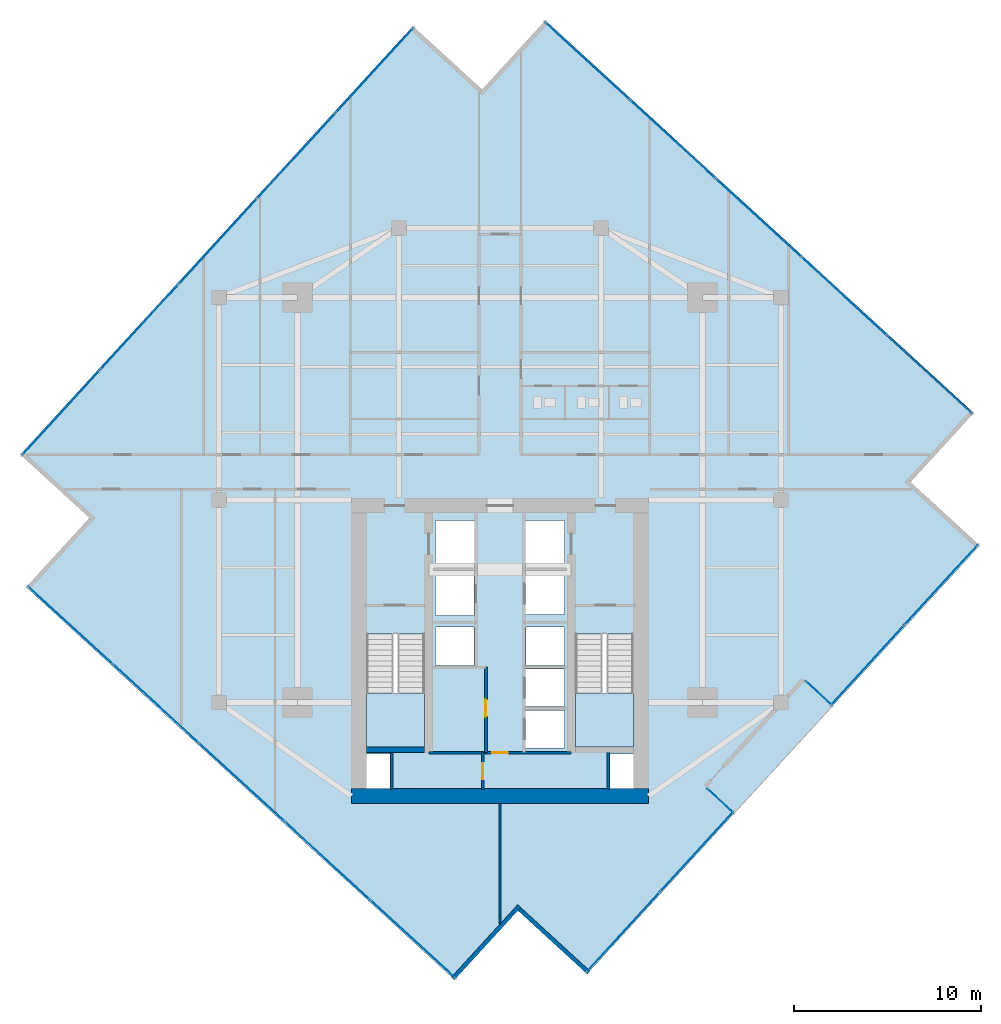
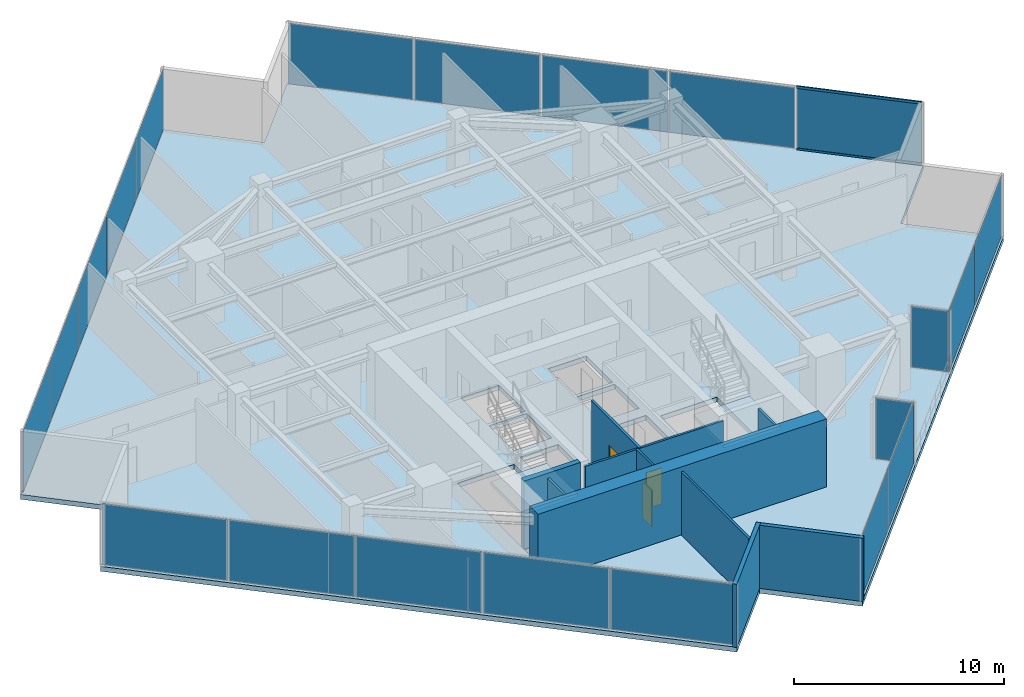
# One storey, part 21 of 26: 21 plates, 10 walls, 3 doors, 3 slabs, 2 members, 3 openings, 9 elements without a shape of their own.
"""IFC4 building model written with IfcOpenShell, lengths in metres."""

from ifc_helpers import new_model, si_unit, direction, frame, frame_2d, origin, origin_2d, place, context, subcontext, project, spatial, polyline, rectangle, hollow_rectangle, outline, extrude, source, transform, mapped, material, layer, layer_set, material_profile, profile_set, type_object, type_shapes, element, fill, aggregate, save


model = new_model("IFC4")

# Units and contexts
model_context = context("Model", 3, precision=1e-05, world=origin(), true_north=direction((0.0, 1.0)))
body_context = subcontext(model_context, "Body", "Model", "MODEL_VIEW")
ifc_project = project(units=[si_unit("LENGTHUNIT", "METRE"), si_unit("AREAUNIT", "SQUARE_METRE"), si_unit("VOLUMEUNIT", "CUBIC_METRE"), si_unit("PLANEANGLEUNIT", "RADIAN"), si_unit("MASSUNIT", "GRAM", prefix="KILO")], contexts=[model_context])

# Site, building, storey
site_placement = place(None, origin())
site = spatial("IfcSite", under=ifc_project, at=site_placement, CompositionType="ELEMENT")
building_placement = place(site_placement, origin())
building = spatial("IfcBuilding", under=site, at=building_placement, Name="Krantzveldt Concourse Tower", CompositionType="ELEMENT")
storey_placement = place(building_placement, frame((0.0, 0.0, 227.050048828125)))
storey = spatial("IfcBuildingStorey", under=building, at=storey_placement, Name="L55", CompositionType="ELEMENT", Elevation=227.050048828125)

# Curtain wall, members
ifc_material_1 = material(Name="Anodised aluminium 6063-T6", Category="aluminium")
curtain_wall_type_1 = type_object("IfcCurtainWallType", Name="CW3", PredefinedType="USERDEFINED", material=ifc_material_1)
curtain_wall_1_placement = place(storey_placement, origin())
curtain_wall_1 = element("IfcCurtainWall", 1, at=curtain_wall_1_placement, inside=storey, type_object=curtain_wall_type_1, Name="CW-L55-F14", ObjectType="UNITISED CURTAIN WALL", PredefinedType="USERDEFINED")
ifc_material_profile = material_profile(ifc_material_1, hollow_rectangle(XDim=0.070068359375, YDim=0.139892578125, WallThickness=0.0048828125, at=origin_2d()), Name="Anodised aluminium 6063-T6", Category="aluminium")
ifc_profile_set = profile_set([ifc_material_profile], Name="Anodised aluminium 6063-T6 - ALU-TRAN 140x70x5")
member_type = type_object("IfcMemberType", Name="CW-TRN-150", PredefinedType="USERDEFINED", material=ifc_profile_set)
shared_shape_1 = source(origin(), body_context, "Body", "SweptSolid", [
    extrude(hollow_rectangle(XDim=0.070068359375, YDim=0.139892578125, WallThickness=0.0048828125, at=origin_2d()), origin(), (0.0, 0.0, 1.0), 6.094970703125),
])
type_shapes(member_type, [shared_shape_1])
member_1_placement = place(storey_placement, frame((61.1650390625, 31.323486328125, 0.034912109375), z_axis=(-0.737277168993, 0.675590390755, 0.0), x_axis=(-0.675590390755, -0.737277168993, 0.0)))
member_1 = element("IfcMember", 2, at=member_1_placement, type_object=member_type, Name="CW-Z34 transom 1.1", ObjectType="TRANSOM", PredefinedType="USERDEFINED", context=body_context, shape_type="MappedRepresentation", body=[
    mapped(shared_shape_1, transform((0.0, 0.0, 0.0), x_axis=(1.0, 0.0, 0.0), y_axis=(0.0, 1.0, 0.0), z_axis=(0.0, 0.0, 1.0), scale=1.0)),
])
member_2_placement = place(storey_placement, frame((61.1650390625, 31.323486328125, 3.635009765625), z_axis=(-0.737277168993, 0.675590390755, 0.0), x_axis=(-0.675590390755, -0.737277168993, 0.0)))
member_2 = element("IfcMember", 3, at=member_2_placement, type_object=member_type, Name="CW-Z34 transom 1.2", ObjectType="TRANSOM", PredefinedType="USERDEFINED", context=body_context, shape_type="MappedRepresentation", body=[
    mapped(shared_shape_1, transform((0.0, 0.0, 0.0), x_axis=(1.0, 0.0, 0.0), y_axis=(0.0, 1.0, 0.0), z_axis=(0.0, 0.0, 1.0), scale=1.0)),
])

# Stair, slab
ifc_material_2 = material(Name="Precast concrete C40/50", Category="concrete")
stair_type = type_object("IfcStairType", Name="STR-CORE-DOGLEG", PredefinedType="HALF_TURN_STAIR", material=ifc_material_2)
stair_1_placement = place(storey_placement, origin())
stair_1 = element("IfcStair", 4, at=stair_1_placement, inside=storey, type_object=stair_type, Name="L55 Protected Escape Stair ST-1", PredefinedType="HALF_TURN_STAIR")
ifc_layer_1 = layer(ifc_material_2, 0.199951171875, Name="Precast concrete C40/50", Category="concrete")
ifc_layer_set_1 = layer_set([ifc_layer_1], Name="Precast concrete C40/50 (SL-LANDING-200)")
slab_type_1 = type_object("IfcSlabType", Name="SL-LANDING-200", PredefinedType="LANDING", material=ifc_layer_set_1)
slab_1_placement = place(storey_placement, frame((0.0, 0.0, 1.77490234375)))
slab_1 = element("IfcSlab", 5, at=slab_1_placement, type_object=slab_type_1, Name="ST-1 landing 1", PredefinedType="LANDING", context=body_context, shape_type="SweptSolid", body=[
    extrude(outline(polyline([(28.8798828125, 16.4150390625), (28.8798828125, 13.52001953125), (31.97998046875, 13.52001953125), (31.97998046875, 16.4150390625), (28.8798828125, 16.4150390625)])), origin(), (0.0, 0.0, 1.0), 0.199951171875),
])
aggregate(stair_1, [slab_1])

stair_2_placement = place(storey_placement, origin())
stair_2 = element("IfcStair", 6, at=stair_2_placement, inside=storey, type_object=stair_type, Name="L55 Protected Escape Stair ST-2", PredefinedType="HALF_TURN_STAIR")
slab_2_placement = place(storey_placement, frame((0.0, 0.0, 1.77490234375)))
slab_2 = element("IfcSlab", 7, at=slab_2_placement, type_object=slab_type_1, Name="ST-2 landing 1", PredefinedType="LANDING", context=body_context, shape_type="SweptSolid", body=[
    extrude(outline(polyline([(40.02001953125, 16.4150390625), (40.02001953125, 13.52001953125), (43.1201171875, 13.52001953125), (43.1201171875, 16.4150390625), (40.02001953125, 16.4150390625)])), origin(), (0.0, 0.0, 1.0), 0.199951171875),
])
aggregate(stair_2, [slab_2])

# Slab
ifc_material_3 = material(Name="Concrete C40/50", Category="concrete")
ifc_layer_2 = layer(ifc_material_3, 0.280029296875, Name="Concrete C40/50", Category="concrete")
ifc_layer_set_2 = layer_set([ifc_layer_2], Name="Concrete C40/50 (SL-SL-TER280)")
slab_type_2 = type_object("IfcSlabType", Name="SL-SL-TER280", PredefinedType="FLOOR", material=ifc_layer_set_2)
slab_3_placement = place(storey_placement, frame((0.0, 0.0, -0.280029296875)))
element("IfcSlab", 8, at=slab_3_placement, inside=storey, type_object=slab_type_2, Name="SL-L55-MAIN", PredefinedType="FLOOR", context=body_context, shape_type="SweptSolid", body=[
    extrude(outline(polyline([(35.0439453125, 48.599365234375), (31.357421875, 51.977294921875), (10.4140625, 29.121826171875), (14.1005859375, 25.743896484375), (10.72265625, 22.057373046875), (33.578125, 1.1142578125), (36.9560546875, 4.800537109375), (40.642578125, 1.422607421875), (61.5859375, 24.2783203125), (57.8994140625, 27.65625), (61.27734375, 31.342529296875), (38.421875, 52.285888671875), (35.0439453125, 48.599365234375)]), holes=[polyline([(28.8798828125, 19.547607421875), (28.8798828125, 13.52001953125), (31.97998046875, 13.52001953125), (31.97998046875, 19.547607421875), (28.8798828125, 19.547607421875)]), polyline([(40.02001953125, 19.547607421875), (40.02001953125, 13.52001953125), (43.1201171875, 13.52001953125), (43.1201171875, 19.547607421875), (40.02001953125, 19.547607421875)]), polyline([(32.550048828125, 23.10009765625), (34.64990234375, 23.10009765625), (34.64990234375, 25.60009765625), (32.550048828125, 25.60009765625), (32.550048828125, 23.10009765625)]), polyline([(37.35009765625, 23.10009765625), (39.449951171875, 23.10009765625), (39.449951171875, 25.60009765625), (37.35009765625, 25.60009765625), (37.35009765625, 23.10009765625)]), polyline([(37.35009765625, 20.60009765625), (39.449951171875, 20.60009765625), (39.449951171875, 22.89990234375), (37.35009765625, 22.89990234375), (37.35009765625, 20.60009765625)]), polyline([(37.35009765625, 13.47998046875), (39.449951171875, 13.47998046875), (39.449951171875, 15.47998046875), (37.35009765625, 15.47998046875), (37.35009765625, 13.47998046875)]), polyline([(37.35009765625, 15.679931640625), (39.449951171875, 15.679931640625), (39.449951171875, 17.679931640625), (37.35009765625, 17.679931640625), (37.35009765625, 15.679931640625)]), polyline([(32.550048828125, 20.550048828125), (34.6201171875, 20.550048828125), (34.6201171875, 22.89990234375), (32.550048828125, 22.89990234375), (32.550048828125, 20.550048828125)]), polyline([(32.550048828125, 17.8798828125), (34.6201171875, 17.8798828125), (34.6201171875, 19.919921875), (32.550048828125, 19.919921875), (32.550048828125, 17.8798828125)]), polyline([(37.3798828125, 17.8798828125), (39.449951171875, 17.8798828125), (39.449951171875, 19.919921875), (37.3798828125, 19.919921875), (37.3798828125, 17.8798828125)]), polyline([(28.8798828125, 11.320068359375), (30.139892578125, 11.320068359375), (30.139892578125, 13.159912109375), (28.8798828125, 13.159912109375), (28.8798828125, 11.320068359375)]), polyline([(41.860107421875, 11.320068359375), (43.1201171875, 11.320068359375), (43.1201171875, 13.159912109375), (41.860107421875, 13.159912109375), (41.860107421875, 11.320068359375)])]), origin(), (0.0, 0.0, 1.0), 0.280029296875),
])

# Curtain wall, plate
curtain_wall_type_2 = type_object("IfcCurtainWallType", Name="CW6", PredefinedType="USERDEFINED", material=ifc_material_1)
curtain_wall_2_placement = place(storey_placement, origin())
curtain_wall_2 = element("IfcCurtainWall", 9, at=curtain_wall_2_placement, inside=storey, type_object=curtain_wall_type_2, Name="CW-L55-TR08", ObjectType="UNITISED CURTAIN WALL", PredefinedType="USERDEFINED")
ifc_material_4 = material(Name="Bronze-tinted laminated low-E IGU glass", Category="glass")
ifc_layer_3 = layer(ifc_material_4, 0.031982421875, Name="Bronze-tinted laminated low-E IGU glass", Category="glass")
ifc_layer_set_3 = layer_set([ifc_layer_3], Name="Bronze-tinted laminated low-E IGU glass (CW-GLZ-32)")
plate_type = type_object("IfcPlateType", Name="CW-GLZ-32", PredefinedType="CURTAIN_PANEL", material=ifc_layer_set_3)
shared_shape_2 = source(origin(), body_context, "Body", "SweptSolid", [
    extrude(rectangle(XDim=1.860107421875, YDim=0.031982421875, at=origin_2d()), origin(), (0.0, 0.0, 1.0), 3.530029296875),
])
plate_1_placement = place(storey_placement, frame((47.748779296875, 10.657958984375, 0.06982421875), z_axis=(0.0, 0.0, 1.0), x_axis=(-0.737276373651, 0.675591258718, 0.0)))
plate_1 = element("IfcPlate", 10, at=plate_1_placement, type_object=plate_type, Name="CW-TERR panel 1.1", PredefinedType="CURTAIN_PANEL", context=body_context, shape_type="MappedRepresentation", body=[
    mapped(shared_shape_2, transform((0.0, 0.0, 0.0), x_axis=(1.0, 0.0, 0.0), y_axis=(0.0, 1.0, 0.0), z_axis=(0.0, 0.0, 1.0), scale=1.0)),
])
aggregate(curtain_wall_2, [plate_1])

curtain_wall_3_placement = place(storey_placement, origin())
curtain_wall_3 = element("IfcCurtainWall", 11, at=curtain_wall_3_placement, inside=storey, type_object=curtain_wall_type_2, Name="CW-L55-TR10", ObjectType="UNITISED CURTAIN WALL", PredefinedType="USERDEFINED")
plate_2_placement = place(storey_placement, frame((53.0048828125, 16.39404296875, 0.06982421875), z_axis=(0.0, 0.0, 1.0), x_axis=(0.737276165275, -0.675591486119, 0.0)))
plate_2 = element("IfcPlate", 12, at=plate_2_placement, type_object=plate_type, Name="CW-TERR panel 1.1", PredefinedType="CURTAIN_PANEL", context=body_context, shape_type="MappedRepresentation", body=[
    mapped(shared_shape_2, transform((0.0, 0.0, 0.0), x_axis=(1.0, 0.0, 0.0), y_axis=(0.0, 1.0, 0.0), z_axis=(0.0, 0.0, 1.0), scale=1.0)),
])
aggregate(curtain_wall_3, [plate_2])

# Curtain wall, plates
curtain_wall_4_placement = place(storey_placement, origin())
curtain_wall_4 = element("IfcCurtainWall", 13, at=curtain_wall_4_placement, inside=storey, type_object=curtain_wall_type_1, Name="CW-L55-F01", ObjectType="UNITISED CURTAIN WALL", PredefinedType="USERDEFINED")
shared_shape_3 = source(origin(), body_context, "Body", "SweptSolid", [
    extrude(rectangle(XDim=6.094970703125, YDim=0.031982421875, at=origin_2d()), origin(), (0.0, 0.0, 1.0), 3.530029296875),
])
plate_3_placement = place(storey_placement, frame((29.317626953125, 49.6181640625, 0.06982421875), z_axis=(0.0, 0.0, 1.0), x_axis=(-0.675590053651, -0.737277477893, 0.0)))
plate_3 = element("IfcPlate", 14, at=plate_3_placement, type_object=plate_type, Name="CW-Z34 panel 1.1", PredefinedType="CURTAIN_PANEL", context=body_context, shape_type="MappedRepresentation", body=[
    mapped(shared_shape_3, transform((0.0, 0.0, 0.0), x_axis=(1.0, 0.0, 0.0), y_axis=(0.0, 1.0, 0.0), z_axis=(0.0, 0.0, 1.0), scale=1.0)),
])
plate_4_placement = place(storey_placement, frame((12.586669921875, 31.359375, 0.06982421875), z_axis=(0.0, 0.0, 1.0), x_axis=(-0.675590053651, -0.737277477893, 0.0)))
plate_4 = element("IfcPlate", 15, at=plate_4_placement, type_object=plate_type, Name="CW-Z34 panel 5.1", PredefinedType="CURTAIN_PANEL", context=body_context, shape_type="MappedRepresentation", body=[
    mapped(shared_shape_3, transform((0.0, 0.0, 0.0), x_axis=(1.0, 0.0, 0.0), y_axis=(0.0, 1.0, 0.0), z_axis=(0.0, 0.0, 1.0), scale=1.0)),
])

curtain_wall_5_placement = place(storey_placement, origin())
curtain_wall_5 = element("IfcCurtainWall", 16, at=curtain_wall_5_placement, inside=storey, type_object=curtain_wall_type_1, Name="CW-L55-F04", ObjectType="UNITISED CURTAIN WALL", PredefinedType="USERDEFINED")
plate_5_placement = place(storey_placement, frame((13.081787109375, 20.017578125, 0.06982421875), z_axis=(0.0, 0.0, 1.0), x_axis=(0.737277477893, -0.675590053651, 0.0)))
plate_5 = element("IfcPlate", 17, at=plate_5_placement, type_object=plate_type, Name="CW-Z34 panel 1.1", PredefinedType="CURTAIN_PANEL", context=body_context, shape_type="MappedRepresentation", body=[
    mapped(shared_shape_3, transform((0.0, 0.0, 0.0), x_axis=(1.0, 0.0, 0.0), y_axis=(0.0, 1.0, 0.0), z_axis=(0.0, 0.0, 1.0), scale=1.0)),
])
plate_6_placement = place(storey_placement, frame((31.340576171875, 3.28662109375, 0.06982421875), z_axis=(0.0, 0.0, 1.0), x_axis=(0.737277477893, -0.675590053651, 0.0)))
plate_6 = element("IfcPlate", 18, at=plate_6_placement, type_object=plate_type, Name="CW-Z34 panel 5.1", PredefinedType="CURTAIN_PANEL", context=body_context, shape_type="MappedRepresentation", body=[
    mapped(shared_shape_3, transform((0.0, 0.0, 0.0), x_axis=(1.0, 0.0, 0.0), y_axis=(0.0, 1.0, 0.0), z_axis=(0.0, 0.0, 1.0), scale=1.0)),
])

# Plate
plate_7_placement = place(storey_placement, frame((58.918212890625, 33.38232421875, 0.06982421875), z_axis=(0.0, 0.0, 1.0), x_axis=(-0.737277477893, 0.675590053651, 0.0)))
plate_7 = element("IfcPlate", 19, at=plate_7_placement, type_object=plate_type, Name="CW-Z34 panel 1.1", PredefinedType="CURTAIN_PANEL", context=body_context, shape_type="MappedRepresentation", body=[
    mapped(shared_shape_3, transform((0.0, 0.0, 0.0), x_axis=(1.0, 0.0, 0.0), y_axis=(0.0, 1.0, 0.0), z_axis=(0.0, 0.0, 1.0), scale=1.0)),
])

plate_8_placement = place(storey_placement, frame((40.659423828125, 50.11328125, 0.06982421875), z_axis=(0.0, 0.0, 1.0), x_axis=(-0.737277477893, 0.675590053651, 0.0)))
plate_8 = element("IfcPlate", 20, at=plate_8_placement, type_object=plate_type, Name="CW-Z34 panel 5.1", PredefinedType="CURTAIN_PANEL", context=body_context, shape_type="MappedRepresentation", body=[
    mapped(shared_shape_3, transform((0.0, 0.0, 0.0), x_axis=(1.0, 0.0, 0.0), y_axis=(0.0, 1.0, 0.0), z_axis=(0.0, 0.0, 1.0), scale=1.0)),
])

shared_shape_4 = source(origin(), body_context, "Body", "SweptSolid", [
    extrude(rectangle(XDim=6.1298828125, YDim=0.031982421875, at=origin_2d()), origin(), (0.0, 0.0, 1.0), 3.530029296875),
])
plate_9_placement = place(storey_placement, frame((25.140869140625, 45.059814453125, 0.06982421875), z_axis=(0.0, 0.0, 1.0), x_axis=(-0.675590053651, -0.737277477893, 0.0)))
plate_9 = element("IfcPlate", 21, at=plate_9_placement, type_object=plate_type, Name="CW-Z34 panel 2.1", PredefinedType="CURTAIN_PANEL", context=body_context, shape_type="MappedRepresentation", body=[
    mapped(shared_shape_4, transform((0.0, 0.0, 0.0), x_axis=(1.0, 0.0, 0.0), y_axis=(0.0, 1.0, 0.0), z_axis=(0.0, 0.0, 1.0), scale=1.0)),
])

plate_10_placement = place(storey_placement, frame((20.9521484375, 40.48876953125, 0.06982421875), z_axis=(0.0, 0.0, 1.0), x_axis=(-0.675590053651, -0.737277477893, 0.0)))
plate_10 = element("IfcPlate", 22, at=plate_10_placement, type_object=plate_type, Name="CW-Z34 panel 3.1", PredefinedType="CURTAIN_PANEL", context=body_context, shape_type="MappedRepresentation", body=[
    mapped(shared_shape_4, transform((0.0, 0.0, 0.0), x_axis=(1.0, 0.0, 0.0), y_axis=(0.0, 1.0, 0.0), z_axis=(0.0, 0.0, 1.0), scale=1.0)),
])

plate_11_placement = place(storey_placement, frame((16.763427734375, 35.917724609375, 0.06982421875), z_axis=(0.0, 0.0, 1.0), x_axis=(-0.675590053651, -0.737277477893, 0.0)))
plate_11 = element("IfcPlate", 23, at=plate_11_placement, type_object=plate_type, Name="CW-Z34 panel 4.1", PredefinedType="CURTAIN_PANEL", context=body_context, shape_type="MappedRepresentation", body=[
    mapped(shared_shape_4, transform((0.0, 0.0, 0.0), x_axis=(1.0, 0.0, 0.0), y_axis=(0.0, 1.0, 0.0), z_axis=(0.0, 0.0, 1.0), scale=1.0)),
])

aggregate(curtain_wall_4, [plate_3, plate_9, plate_10, plate_11, plate_4])

plate_12_placement = place(storey_placement, frame((17.64013671875, 15.8408203125, 0.06982421875), z_axis=(0.0, 0.0, 1.0), x_axis=(0.737277477893, -0.675590053651, 0.0)))
plate_12 = element("IfcPlate", 24, at=plate_12_placement, type_object=plate_type, Name="CW-Z34 panel 2.1", PredefinedType="CURTAIN_PANEL", context=body_context, shape_type="MappedRepresentation", body=[
    mapped(shared_shape_4, transform((0.0, 0.0, 0.0), x_axis=(1.0, 0.0, 0.0), y_axis=(0.0, 1.0, 0.0), z_axis=(0.0, 0.0, 1.0), scale=1.0)),
])

plate_13_placement = place(storey_placement, frame((22.211181640625, 11.652099609375, 0.06982421875), z_axis=(0.0, 0.0, 1.0), x_axis=(0.737277477893, -0.675590053651, 0.0)))
plate_13 = element("IfcPlate", 25, at=plate_13_placement, type_object=plate_type, Name="CW-Z34 panel 3.1", PredefinedType="CURTAIN_PANEL", context=body_context, shape_type="MappedRepresentation", body=[
    mapped(shared_shape_4, transform((0.0, 0.0, 0.0), x_axis=(1.0, 0.0, 0.0), y_axis=(0.0, 1.0, 0.0), z_axis=(0.0, 0.0, 1.0), scale=1.0)),
])

plate_14_placement = place(storey_placement, frame((26.7822265625, 7.463623046875, 0.06982421875), z_axis=(0.0, 0.0, 1.0), x_axis=(0.737277477893, -0.675590053651, 0.0)))
plate_14 = element("IfcPlate", 26, at=plate_14_placement, type_object=plate_type, Name="CW-Z34 panel 4.1", PredefinedType="CURTAIN_PANEL", context=body_context, shape_type="MappedRepresentation", body=[
    mapped(shared_shape_4, transform((0.0, 0.0, 0.0), x_axis=(1.0, 0.0, 0.0), y_axis=(0.0, 1.0, 0.0), z_axis=(0.0, 0.0, 1.0), scale=1.0)),
])

aggregate(curtain_wall_5, [plate_5, plate_12, plate_13, plate_14, plate_6])

plate_15_placement = place(storey_placement, frame((54.35986328125, 37.55908203125, 0.06982421875), z_axis=(0.0, 0.0, 1.0), x_axis=(-0.737277477893, 0.675590053651, 0.0)))
plate_15 = element("IfcPlate", 27, at=plate_15_placement, type_object=plate_type, Name="CW-Z34 panel 2.1", PredefinedType="CURTAIN_PANEL", context=body_context, shape_type="MappedRepresentation", body=[
    mapped(shared_shape_4, transform((0.0, 0.0, 0.0), x_axis=(1.0, 0.0, 0.0), y_axis=(0.0, 1.0, 0.0), z_axis=(0.0, 0.0, 1.0), scale=1.0)),
])

plate_16_placement = place(storey_placement, frame((49.788818359375, 41.747802734375, 0.06982421875), z_axis=(0.0, 0.0, 1.0), x_axis=(-0.737277477893, 0.675590053651, 0.0)))
plate_16 = element("IfcPlate", 28, at=plate_16_placement, type_object=plate_type, Name="CW-Z34 panel 3.1", PredefinedType="CURTAIN_PANEL", context=body_context, shape_type="MappedRepresentation", body=[
    mapped(shared_shape_4, transform((0.0, 0.0, 0.0), x_axis=(1.0, 0.0, 0.0), y_axis=(0.0, 1.0, 0.0), z_axis=(0.0, 0.0, 1.0), scale=1.0)),
])

plate_17_placement = place(storey_placement, frame((45.2177734375, 45.9365234375, 0.06982421875), z_axis=(0.0, 0.0, 1.0), x_axis=(-0.737277477893, 0.675590053651, 0.0)))
plate_17 = element("IfcPlate", 29, at=plate_17_placement, type_object=plate_type, Name="CW-Z34 panel 4.1", PredefinedType="CURTAIN_PANEL", context=body_context, shape_type="MappedRepresentation", body=[
    mapped(shared_shape_4, transform((0.0, 0.0, 0.0), x_axis=(1.0, 0.0, 0.0), y_axis=(0.0, 1.0, 0.0), z_axis=(0.0, 0.0, 1.0), scale=1.0)),
])

aggregate(curtain_wall_1, [member_1, member_2, plate_7, plate_15, plate_16, plate_17, plate_8])

# Curtain wall, plates
curtain_wall_6_placement = place(storey_placement, origin())
curtain_wall_6 = element("IfcCurtainWall", 30, at=curtain_wall_6_placement, inside=storey, type_object=curtain_wall_type_1, Name="CW-L55-F07", ObjectType="UNITISED CURTAIN WALL", PredefinedType="USERDEFINED")
shared_shape_5 = source(origin(), body_context, "Body", "SweptSolid", [
    extrude(rectangle(XDim=5.7451171875, YDim=0.031982421875, at=origin_2d()), origin(), (0.0, 0.0, 1.0), 3.530029296875),
])
type_shapes(plate_type, [shared_shape_2, shared_shape_3, shared_shape_4, shared_shape_5])
plate_18_placement = place(storey_placement, frame((42.564208984375, 3.65283203125, 0.06982421875), z_axis=(0.0, 0.0, 1.0), x_axis=(0.675589735736, 0.737277769208, 0.0)))
plate_18 = element("IfcPlate", 31, at=plate_18_placement, type_object=plate_type, Name="CW-Z34 panel 1.1", PredefinedType="CURTAIN_PANEL", context=body_context, shape_type="MappedRepresentation", body=[
    mapped(shared_shape_5, transform((0.0, 0.0, 0.0), x_axis=(1.0, 0.0, 0.0), y_axis=(0.0, 1.0, 0.0), z_axis=(0.0, 0.0, 1.0), scale=1.0)),
])
plate_19_placement = place(storey_placement, frame((46.49267578125, 7.940185546875, 0.06982421875), z_axis=(0.0, 0.0, 1.0), x_axis=(0.675589735736, 0.737277769208, 0.0)))
plate_19 = element("IfcPlate", 32, at=plate_19_placement, type_object=plate_type, Name="CW-Z34 panel 2.1", PredefinedType="CURTAIN_PANEL", context=body_context, shape_type="MappedRepresentation", body=[
    mapped(shared_shape_5, transform((0.0, 0.0, 0.0), x_axis=(1.0, 0.0, 0.0), y_axis=(0.0, 1.0, 0.0), z_axis=(0.0, 0.0, 1.0), scale=1.0)),
])
aggregate(curtain_wall_6, [plate_18, plate_19])

curtain_wall_7_placement = place(storey_placement, origin())
curtain_wall_7 = element("IfcCurtainWall", 33, at=curtain_wall_7_placement, inside=storey, type_object=curtain_wall_type_1, Name="CW-L55-F11", ObjectType="UNITISED CURTAIN WALL", PredefinedType="USERDEFINED")
plate_20_placement = place(storey_placement, frame((55.60302734375, 17.88232421875, 0.06982421875), z_axis=(0.0, 0.0, 1.0), x_axis=(0.675589735736, 0.737277769208, 0.0)))
plate_20 = element("IfcPlate", 34, at=plate_20_placement, type_object=plate_type, Name="CW-Z34 panel 1.1", PredefinedType="CURTAIN_PANEL", context=body_context, shape_type="MappedRepresentation", body=[
    mapped(shared_shape_5, transform((0.0, 0.0, 0.0), x_axis=(1.0, 0.0, 0.0), y_axis=(0.0, 1.0, 0.0), z_axis=(0.0, 0.0, 1.0), scale=1.0)),
])
plate_21_placement = place(storey_placement, frame((59.531494140625, 22.169677734375, 0.06982421875), z_axis=(0.0, 0.0, 1.0), x_axis=(0.675589735736, 0.737277769208, 0.0)))
plate_21 = element("IfcPlate", 35, at=plate_21_placement, type_object=plate_type, Name="CW-Z34 panel 2.1", PredefinedType="CURTAIN_PANEL", context=body_context, shape_type="MappedRepresentation", body=[
    mapped(shared_shape_5, transform((0.0, 0.0, 0.0), x_axis=(1.0, 0.0, 0.0), y_axis=(0.0, 1.0, 0.0), z_axis=(0.0, 0.0, 1.0), scale=1.0)),
])
aggregate(curtain_wall_7, [plate_20, plate_21])

# Walls
ifc_layer_4 = layer(ifc_material_1, 0.219970703125, Name="Anodised aluminium 6063-T6", Category="aluminium")
ifc_layer_set_4 = layer_set([ifc_layer_4], Name="Anodised aluminium 6063-T6 (WL-EXT-NOTCH220)")
wall_type_1 = type_object("IfcWallType", Name="WL-EXT-NOTCH220", PredefinedType="ELEMENTEDWALL", material=ifc_layer_set_4)
wall_1_placement = place(storey_placement, frame((33.480224609375, 1.170166015625, 0.0), z_axis=(0.0, 0.0, 1.0), x_axis=(0.675596040677, 0.737271991752, 0.0)))
element("IfcWall", 36, at=wall_1_placement, inside=storey, type_object=wall_type_1, Name="EW-L55-NCH05", PredefinedType="ELEMENTEDWALL", context=body_context, shape_type="SweptSolid", body=[
    extrude(rectangle(XDim=5.244873046875, YDim=0.219970703125, at=frame_2d((2.62255859375, 0.0))), origin(), (0.0, 0.0, 1.0), 3.669921875),
])
wall_2_placement = place(storey_placement, frame((37.030517578125, 4.881591796875, 0.0), z_axis=(0.0, 0.0, 1.0), x_axis=(0.737285215553, -0.675581609375, 0.0)))
element("IfcWall", 37, at=wall_2_placement, inside=storey, type_object=wall_type_1, Name="EW-L55-NCH06", PredefinedType="ELEMENTEDWALL", context=body_context, shape_type="SweptSolid", body=[
    extrude(rectangle(XDim=5.02490234375, YDim=0.219970703125, at=frame_2d((2.512451171875, 0.0))), origin(), (0.0, 0.0, 1.0), 3.669921875),
])

# Wall, opening, door
ifc_material_5 = material(Name="Fire-rated gypsum plasterboard on steel stud", Category="steel")
ifc_layer_5 = layer(ifc_material_5, 0.1201171875, Name="Fire-rated gypsum plasterboard on steel stud", Category="steel")
ifc_layer_set_5 = layer_set([ifc_layer_5], Name="Fire-rated gypsum plasterboard on steel stud (WL-PART-120)")
wall_type_2 = type_object("IfcWallType", Name="WL-PART-120", PredefinedType="PARTITIONING", material=ifc_layer_set_5)
wall_3_placement = place(storey_placement, frame((32.2099609375, 13.219970703125, 0.0), z_axis=(0.0, 0.0, 1.0), x_axis=(1.0, 0.0, 0.0)))
wall_3 = element("IfcWall", 38, at=wall_3_placement, inside=storey, type_object=wall_type_2, Name="WP-L55-CS2H", PredefinedType="PARTITIONING", context=body_context, shape_type="SweptSolid", body=[
    extrude(rectangle(XDim=7.580078125, YDim=0.1201171875, at=frame_2d((3.7900390625, 0.0))), origin(), (0.0, 0.0, 1.0), 3.669921875),
])
opening_1_placement = place(wall_3_placement, frame((3.364990234375, 0.0, 0.0)))
opening_1 = element("IfcOpeningElement", 39, at=opening_1_placement, cuts=wall_3, Name="Opening D-IN085", PredefinedType="OPENING", context=body_context, shape_type="SweptSolid", body=[
    extrude(rectangle(XDim=0.85009765625, YDim=2.10009765625, at=frame_2d((0.425048828125, 1.050048828125))), frame((0.0, 0.070068359375, 0.0), z_axis=(0.0, -1.0, 0.0), x_axis=(1.0, 0.0, 0.0)), (0.0, 0.0, 1.0), 0.14013671875),
])
ifc_material_6 = material(Name="Hardwood timber", Category="wood")
door_type_1 = type_object("IfcDoorType", Name="DR-INT-850", OperationType="SINGLE_SWING_LEFT", PredefinedType="DOOR", material=ifc_material_6)
door_1_placement = place(opening_1_placement, origin())
door_1 = element("IfcDoor", 40, at=door_1_placement, inside=storey, type_object=door_type_1, Name="DR-L55-LLBS", OperationType="SINGLE_SWING_RIGHT", OverallHeight=2.10009765625, OverallWidth=0.85009765625, PredefinedType="DOOR", context=body_context, shape_type="SweptSolid", body=[
    extrude(rectangle(XDim=0.85009765625, YDim=2.10009765625, at=frame_2d((0.425048828125, 1.050048828125))), frame((0.0, 0.02490234375, 0.0), z_axis=(0.0, -1.0, 0.0), x_axis=(1.0, 0.0, 0.0)), (0.0, 0.0, 1.0), 0.050048828125),
])
fill(opening_1, door_1)

wall_4_placement = place(storey_placement, frame((35.080078125, 11.25, 0.0), z_axis=(0.0, 0.0, 1.0), x_axis=(0.0, 1.0, 0.0)))
wall_4 = element("IfcWall", 41, at=wall_4_placement, inside=storey, type_object=wall_type_2, Name="WP-L55-CSA-V", PredefinedType="PARTITIONING", context=body_context, shape_type="SweptSolid", body=[
    extrude(rectangle(XDim=1.969970703125, YDim=0.1201171875, at=frame_2d((0.98486328125, 0.0))), origin(), (0.0, 0.0, 1.0), 3.669921875),
])
opening_2_placement = place(wall_4_placement, frame((0.544921875, 0.0, 0.0)))
opening_2 = element("IfcOpeningElement", 42, at=opening_2_placement, cuts=wall_4, Name="Opening D-IN085", PredefinedType="OPENING", context=body_context, shape_type="SweptSolid", body=[
    extrude(rectangle(XDim=0.85009765625, YDim=2.10009765625, at=frame_2d((0.425048828125, 1.050048828125))), frame((0.0, 0.070068359375, 0.0), z_axis=(0.0, -1.0, 0.0), x_axis=(1.0, 0.0, 0.0)), (0.0, 0.0, 1.0), 0.14013671875),
])
door_2_placement = place(opening_2_placement, origin())
door_2 = element("IfcDoor", 43, at=door_2_placement, inside=storey, type_object=door_type_1, Name="DR-L55-CSA1", OperationType="SINGLE_SWING_LEFT", OverallHeight=2.10009765625, OverallWidth=0.85009765625, PredefinedType="DOOR", context=body_context, shape_type="SweptSolid", body=[
    extrude(rectangle(XDim=0.85009765625, YDim=2.10009765625, at=frame_2d((0.425048828125, 1.050048828125))), frame((0.0, 0.02490234375, 0.0), z_axis=(0.0, -1.0, 0.0), x_axis=(1.0, 0.0, 0.0)), (0.0, 0.0, 1.0), 0.050048828125),
])
fill(opening_2, door_2)

# Wall
wall_5_placement = place(storey_placement, frame((36.0, 4.090087890625, 0.0), z_axis=(0.0, 0.0, 1.0), x_axis=(0.0, 1.0, 0.0)))
element("IfcWall", 44, at=wall_5_placement, inside=storey, type_object=wall_type_2, Name="WP-L55-SMID", PredefinedType="PARTITIONING", context=body_context, shape_type="SweptSolid", body=[
    extrude(rectangle(XDim=6.409912109375, YDim=0.1201171875, at=frame_2d((3.205078125, 0.0))), origin(), (0.0, 0.0, 1.0), 3.669921875),
])

# Wall, opening, door
ifc_layer_6 = layer(ifc_material_5, 0.139892578125, Name="Fire-rated gypsum plasterboard on steel stud", Category="steel")
ifc_layer_set_6 = layer_set([ifc_layer_6], Name="Fire-rated gypsum plasterboard on steel stud (WL-PART-FR140)")
wall_type_3 = type_object("IfcWallType", Name="WL-PART-FR140", PredefinedType="PARTITIONING", material=ifc_layer_set_6)
wall_6_placement = place(storey_placement, frame((35.25, 13.219970703125, 0.0), z_axis=(0.0, 0.0, 1.0), x_axis=(0.0, 1.0, 0.0)))
wall_6 = element("IfcWall", 45, at=wall_6_placement, inside=storey, type_object=wall_type_3, Name="WP-L55-RECW", PredefinedType="PARTITIONING", context=body_context, shape_type="SweptSolid", body=[
    extrude(rectangle(XDim=4.56005859375, YDim=0.139892578125, at=frame_2d((2.280029296875, 0.0))), origin(), (0.0, 0.0, 1.0), 3.669921875),
])
opening_3_placement = place(wall_6_placement, frame((1.929931640625, 0.0, 0.0)))
opening_3 = element("IfcOpeningElement", 46, at=opening_3_placement, cuts=wall_6, Name="Opening D-FD090", PredefinedType="OPENING", context=body_context, shape_type="SweptSolid", body=[
    extrude(rectangle(XDim=0.89990234375, YDim=2.10009765625, at=frame_2d((0.449951171875, 1.050048828125))), frame((0.0, 0.080078125, 0.0), z_axis=(0.0, -1.0, 0.0), x_axis=(1.0, 0.0, 0.0)), (0.0, 0.0, 1.0), 0.159912109375),
])
door_type_2 = type_object("IfcDoorType", Name="DR-FD60-900", OperationType="SINGLE_SWING_LEFT", PredefinedType="DOOR", material=ifc_material_6)
door_3_placement = place(opening_3_placement, origin())
door_3 = element("IfcDoor", 47, at=door_3_placement, inside=storey, type_object=door_type_2, Name="DR-L55-RECW", OperationType="SINGLE_SWING_LEFT", OverallHeight=2.10009765625, OverallWidth=0.89990234375, PredefinedType="DOOR", context=body_context, shape_type="SweptSolid", body=[
    extrude(rectangle(XDim=0.89990234375, YDim=2.10009765625, at=frame_2d((0.449951171875, 1.050048828125))), frame((0.0, 0.02490234375, 0.0), z_axis=(0.0, -1.0, 0.0), x_axis=(1.0, 0.0, 0.0)), (0.0, 0.0, 1.0), 0.050048828125),
])
fill(opening_3, door_3)

# Walls
for number, where, z_axis, x_axis, name in (
    (48, (30.219970703125, 11.25, 0.0), (0.0, 0.0, 1.0), (0.0, 1.0, 0.0), "WP-L55-RSW"),
    (49, (41.780029296875, 11.25, 0.0), (0.0, 0.0, 1.0), (0.0, 1.0, 0.0), "WP-L55-RSE"),
):
    element("IfcWall", number, at=place(storey_placement, frame(where, z_axis=z_axis, x_axis=x_axis)), inside=storey, type_object=wall_type_3, Name=name, PredefinedType="PARTITIONING", context=body_context, shape_type="SweptSolid", body=[
        extrude(rectangle(XDim=1.969970703125, YDim=0.1201171875, at=frame_2d((0.98486328125, 0.0))), origin(), (0.0, 0.0, 1.0), 3.669921875),
    ])
ifc_material_7 = material(Name="Concrete C50/60", Category="concrete")
ifc_layer_7 = layer(ifc_material_7, 0.300048828125, Name="Concrete C50/60", Category="concrete")
ifc_layer_set_7 = layer_set([ifc_layer_7], Name="Concrete C50/60 (WL-SHEAR-300)")
wall_type_4 = type_object("IfcWallType", Name="WL-SHEAR-300", PredefinedType="SHEAR", material=ifc_layer_set_7)
wall_7_placement = place(storey_placement, frame((28.8798828125, 13.3701171875, 0.0), z_axis=(0.0, 0.0, 1.0), x_axis=(1.0, 0.0, 0.0)))
element("IfcWall", 50, at=wall_7_placement, inside=storey, type_object=wall_type_4, Name="CW-L55-ST1S", PredefinedType="SHEAR", context=body_context, shape_type="SweptSolid", body=[
    extrude(rectangle(XDim=3.10009765625, YDim=0.300048828125, at=frame_2d((1.550048828125, 0.0))), origin(), (0.0, 0.0, 1.0), 3.949951171875),
])
ifc_material_8 = material(Name="Concrete C60/75", Category="concrete")
ifc_layer_8 = layer(ifc_material_8, 0.800048828125, Name="Concrete C60/75", Category="concrete")
ifc_layer_set_8 = layer_set([ifc_layer_8], Name="Concrete C60/75 (WL-SHEAR-800)")
wall_type_5 = type_object("IfcWallType", Name="WL-SHEAR-800", PredefinedType="SHEAR", material=ifc_layer_set_8)
wall_8_placement = place(storey_placement, frame((28.080078125, 10.89990234375, 0.0), z_axis=(0.0, 0.0, 1.0), x_axis=(1.0, 0.0, 0.0)))
element("IfcWall", 51, at=wall_8_placement, inside=storey, type_object=wall_type_5, Name="CW-L55-S", PredefinedType="SHEAR", context=body_context, shape_type="SweptSolid", body=[
    extrude(rectangle(XDim=15.83984375, YDim=0.800048828125, at=frame_2d((7.919921875, 0.0))), origin(), (0.0, 0.0, 1.0), 3.949951171875),
])

save(model, "model.ifc")
